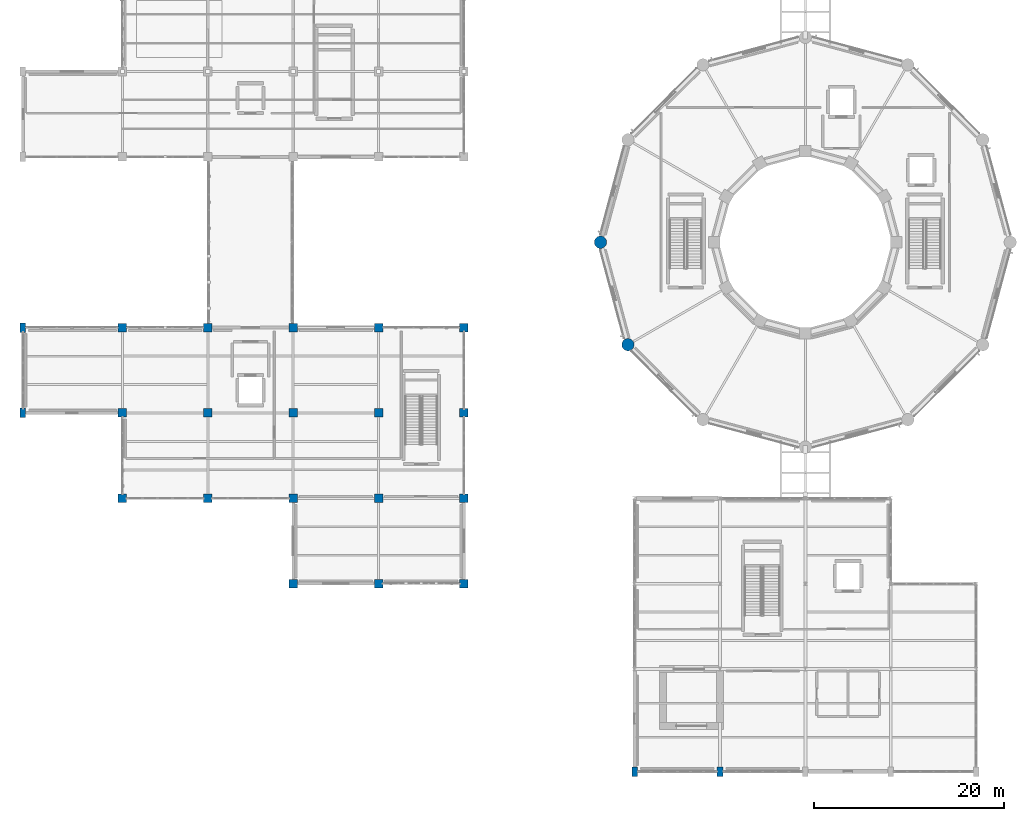
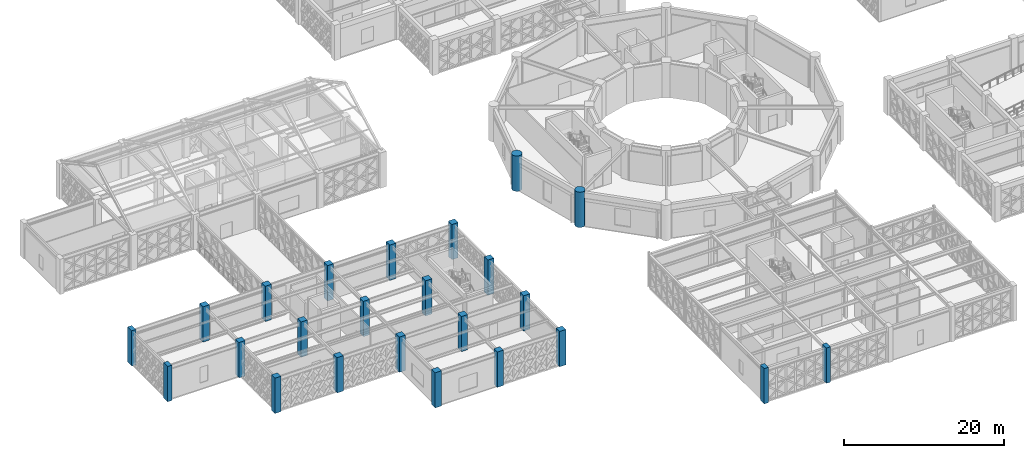
# One storey, part 1 of 166: 24 columns.
"""IFC4 building model written with IfcOpenShell, lengths in metres."""

from ifc_helpers import new_model, si_unit, direction, frame, origin, origin_2d, place, context, subcontext, project, spatial, rectangle, circle, extrude, material, material_profile, profile_set, type_object, element, save


model = new_model("IFC4")

# Units and contexts
model_context = context("Model", 3, precision=1e-05, world=origin(), true_north=direction((0.0, 1.0)))
body_context = subcontext(model_context, "Body", "Model", "MODEL_VIEW")
ifc_project = project(units=[si_unit("LENGTHUNIT", "METRE"), si_unit("AREAUNIT", "SQUARE_METRE"), si_unit("VOLUMEUNIT", "CUBIC_METRE"), si_unit("PLANEANGLEUNIT", "RADIAN"), si_unit("MASSUNIT", "GRAM", prefix="KILO")], contexts=[model_context])

# Site, building, storey
site_placement = place(None, origin())
site = spatial("IfcSite", under=ifc_project, at=site_placement, CompositionType="ELEMENT")
building_placement = place(site_placement, origin())
building = spatial("IfcBuilding", under=site, at=building_placement, Name="Haizhuo Lancet Aquarium", CompositionType="ELEMENT")
storey_placement = place(building_placement, frame((0.0, 0.0, 5.39990234375)))
storey = spatial("IfcBuildingStorey", under=building, at=storey_placement, Name="L01", CompositionType="ELEMENT", Elevation=5.39990234375)

# Columns
ifc_material_1 = material(Name="Concrete C50/60", Category="concrete")
ifc_material_profile_1 = material_profile(ifc_material_1, circle(Radius=0.64990234375, at=origin_2d()), Name="RC-DC 1300")
ifc_profile_set_1 = profile_set([ifc_material_profile_1], Name="Concrete C50/60")
column_type_1 = type_object("IfcColumnType", Name="COL-DC-1300", PredefinedType="COLUMN", material=ifc_profile_set_1)
for number, where, z_axis, x_axis, name in (
    (1, (-21.60009765625, 0.0, 0.0), (0.0, 0.0, 1.0), (-1.0, 0.0, 0.0), "L01 column V1-COL-007"),
    (2, (-18.7060546875, -10.800048828125, 0.0), (0.0, 0.0, 1.0), (-0.866025403784, -0.5, 0.0), "L01 column V1-COL-008"),
):
    element("IfcColumn", number, at=place(storey_placement, frame(where, z_axis=z_axis, x_axis=x_axis)), inside=storey, type_object=column_type_1, Name=name, PredefinedType="COLUMN", context=body_context, shape_type="SweptSolid", body=[
        extrude(circle(Radius=0.64990234375, at=origin_2d()), origin(), (0.0, 0.0, 1.0), 5.400146484375),
    ])
ifc_material_2 = material(Name="Concrete C40/50", Category="concrete")
ifc_material_profile_2 = material_profile(ifc_material_2, rectangle(XDim=0.89990234375, YDim=0.89990234375, at=origin_2d()), Name="RC-COL 900x900")
ifc_profile_set_2 = profile_set([ifc_material_profile_2], Name="Concrete C40/50")
column_type_2 = type_object("IfcColumnType", Name="COL-RC-900", PredefinedType="COLUMN", material=ifc_profile_set_2)
for number, where, z_axis, x_axis, name in (
    (3, (-72.0, -27.0, 0.0), (0.0, 0.0, 1.0), (1.0, 0.0, 0.0), "L01 column V6-COL-110"),
    (4, (-72.0, -18.0, 0.0), (0.0, 0.0, 1.0), (1.0, 0.0, 0.0), "L01 column V6-COL-111"),
    (5, (-72.0, -9.0, 0.0), (0.0, 0.0, 1.0), (1.0, 0.0, 0.0), "L01 column V6-COL-112"),
    (6, (-63.0, -27.0, 0.0), (0.0, 0.0, 1.0), (1.0, 0.0, 0.0), "L01 column V6-COL-113"),
    (7, (-63.0, -18.0, 0.0), (0.0, 0.0, 1.0), (1.0, 0.0, 0.0), "L01 column V6-COL-114"),
    (8, (-63.0, -9.0, 0.0), (0.0, 0.0, 1.0), (1.0, 0.0, 0.0), "L01 column V6-COL-115"),
    (9, (-54.0, -36.0, 0.0), (0.0, 0.0, 1.0), (1.0, 0.0, 0.0), "L01 column V6-COL-116"),
    (10, (-54.0, -27.0, 0.0), (0.0, 0.0, 1.0), (1.0, 0.0, 0.0), "L01 column V6-COL-117"),
    (11, (-54.0, -18.0, 0.0), (0.0, 0.0, 1.0), (1.0, 0.0, 0.0), "L01 column V6-COL-118"),
    (12, (-54.0, -9.0, 0.0), (0.0, 0.0, 1.0), (1.0, 0.0, 0.0), "L01 column V6-COL-119"),
    (13, (-45.0, -36.0, 0.0), (0.0, 0.0, 1.0), (1.0, 0.0, 0.0), "L01 column V6-COL-120"),
    (14, (-45.0, -27.0, 0.0), (0.0, 0.0, 1.0), (1.0, 0.0, 0.0), "L01 column V6-COL-121"),
    (15, (-45.0, -18.0, 0.0), (0.0, 0.0, 1.0), (1.0, 0.0, 0.0), "L01 column V6-COL-122"),
    (16, (-45.0, -9.0, 0.0), (0.0, 0.0, 1.0), (1.0, 0.0, 0.0), "L01 column V6-COL-123"),
    (17, (-36.0, -36.0, 0.0), (0.0, 0.0, 1.0), (1.0, 0.0, 0.0), "L01 column V6-COL-124"),
    (18, (-36.0, -27.0, 0.0), (0.0, 0.0, 1.0), (1.0, 0.0, 0.0), "L01 column V6-COL-125"),
    (19, (-36.0, -18.0, 0.0), (0.0, 0.0, 1.0), (1.0, 0.0, 0.0), "L01 column V6-COL-126"),
    (20, (-36.0, -9.0, 0.0), (0.0, 0.0, 1.0), (1.0, 0.0, 0.0), "L01 column V6-COL-127"),
):
    element("IfcColumn", number, at=place(storey_placement, frame(where, z_axis=z_axis, x_axis=x_axis)), inside=storey, type_object=column_type_2, Name=name, PredefinedType="COLUMN", context=body_context, shape_type="SweptSolid", body=[
        extrude(rectangle(XDim=0.89990234375, YDim=0.89990234375, at=origin_2d()), origin(), (0.0, 0.0, 1.0), 5.400146484375),
    ])
ifc_material_3 = material(Name="Concrete C45/55", Category="concrete")
ifc_material_profile_3 = material_profile(ifc_material_3, rectangle(XDim=0.60009765625, YDim=1.0, at=origin_2d()), Name="RC-PIL 600x1000")
ifc_profile_set_3 = profile_set([ifc_material_profile_3], Name="Concrete C45/55")
column_type_3 = type_object("IfcColumnType", Name="PIL-RC-600x1000", PredefinedType="PILASTER", material=ifc_profile_set_3)
for number, where, z_axis, x_axis, name in (
    (21, (-18.0, -55.800048828125, 0.0), (0.0, 0.0, 1.0), (1.0, 0.0, 0.0), "L01 column V4-COL-066"),
    (22, (-9.0, -55.800048828125, 0.0), (0.0, 0.0, 1.0), (1.0, 0.0, 0.0), "L01 column V4-COL-070"),
    (23, (-82.5, -18.0, 0.0), (0.0, 0.0, 1.0), (1.0, 0.0, 0.0), "L01 column V6-COL-108"),
    (24, (-82.5, -9.0, 0.0), (0.0, 0.0, 1.0), (1.0, 0.0, 0.0), "L01 column V6-COL-109"),
):
    element("IfcColumn", number, at=place(storey_placement, frame(where, z_axis=z_axis, x_axis=x_axis)), inside=storey, type_object=column_type_3, Name=name, PredefinedType="PILASTER", context=body_context, shape_type="SweptSolid", body=[
        extrude(rectangle(XDim=0.60009765625, YDim=1.0, at=origin_2d()), origin(), (0.0, 0.0, 1.0), 5.400146484375),
    ])

save(model, "model.ifc")
